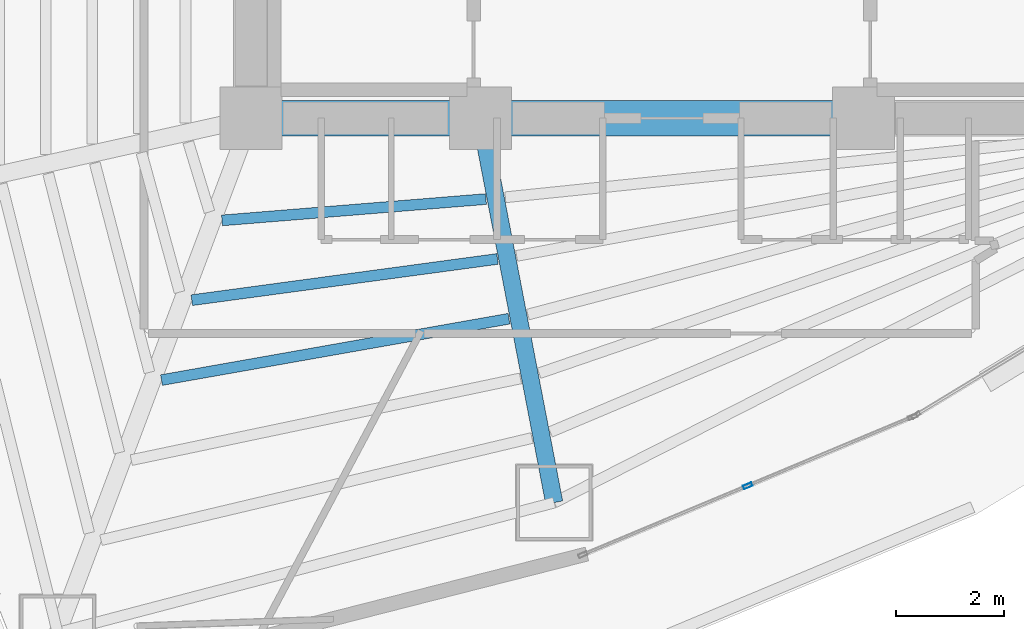
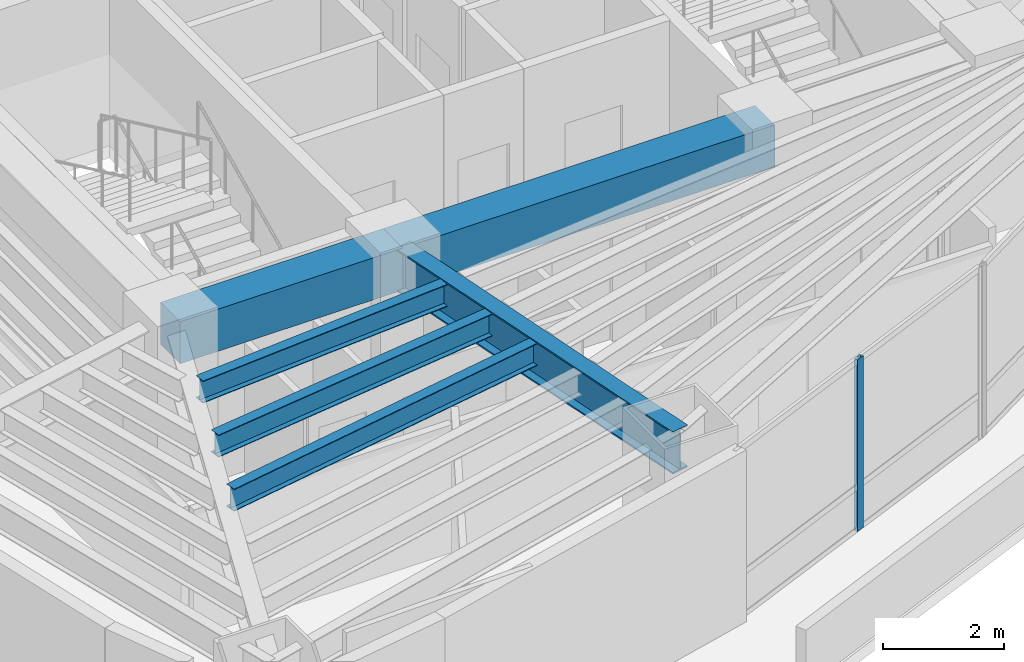
# One storey, part 4 of 17: 6 beams, 1 member, 1 element without a shape of its own.
"""IFC4 building model written with IfcOpenShell, lengths in metres."""

from ifc_helpers import new_model, si_unit, direction, frame, origin, origin_2d, place, context, subcontext, project, spatial, rectangle, hollow_rectangle, i_section, extrude, material, layer, layer_set, material_profile, profile_set, type_object, element, aggregate, save


model = new_model("IFC4")

# Units and contexts
model_context = context("Model", 3, precision=1e-05, world=origin(), true_north=direction((0.0, 1.0)))
body_context = subcontext(model_context, "Body", "Model", "MODEL_VIEW")
ifc_project = project(units=[si_unit("LENGTHUNIT", "METRE"), si_unit("AREAUNIT", "SQUARE_METRE"), si_unit("VOLUMEUNIT", "CUBIC_METRE"), si_unit("PLANEANGLEUNIT", "RADIAN"), si_unit("MASSUNIT", "GRAM", prefix="KILO")], contexts=[model_context])

# Site, building, storey
site_placement = place(None, origin())
site = spatial("IfcSite", under=ifc_project, at=site_placement, CompositionType="ELEMENT")
building_placement = place(site_placement, origin())
building = spatial("IfcBuilding", under=site, at=building_placement, Name="Menara Vayukalpa", CompositionType="ELEMENT")
storey_placement = place(building_placement, frame((0.0, 0.0, 27.60009765625)))
storey = spatial("IfcBuildingStorey", under=building, at=storey_placement, Name="L05", CompositionType="ELEMENT", Elevation=27.60009765625)

# Beams
ifc_material_1 = material(Name="Concrete C60/75", Category="concrete")
ifc_material_profile_1 = material_profile(ifc_material_1, rectangle(XDim=0.64990234375, YDim=0.85009765625, at=origin_2d()), Name="RC 650x850")
ifc_profile_set_1 = profile_set([ifc_material_profile_1], Name="Concrete C60/75")
beam_type_1 = type_object("IfcBeamType", Name="BM-CB1", PredefinedType="BEAM", material=ifc_profile_set_1)
beam_1_placement = place(storey_placement, frame((17.800048828125, 17.199951171875, 3.044921875), z_axis=(1.0, 0.0, 0.0), x_axis=(0.0, 1.0, 0.0)))
element("IfcBeam", 1, at=beam_1_placement, inside=storey, type_object=beam_type_1, Name="L05 Core Tie Beam CBR1", PredefinedType="BEAM", context=body_context, shape_type="SweptSolid", body=[
    extrude(rectangle(XDim=0.64990234375, YDim=0.85009765625, at=origin_2d()), origin(), (0.0, 0.0, 1.0), 4.25),
])
beam_2_placement = place(storey_placement, frame((22.050048828125, 17.199951171875, 3.044921875), z_axis=(1.0, 0.0, 0.0), x_axis=(0.0, 1.0, 0.0)))
element("IfcBeam", 2, at=beam_2_placement, inside=storey, type_object=beam_type_1, Name="L05 Core Tie Beam CBR2", PredefinedType="BEAM", context=body_context, shape_type="SweptSolid", body=[
    extrude(rectangle(XDim=0.64990234375, YDim=0.85009765625, at=origin_2d()), origin(), (0.0, 0.0, 1.0), 7.099853515625),
])
ifc_material_2 = material(Name="Steel S355", Category="steel")
ifc_material_profile_2 = material_profile(ifc_material_2, i_section(OverallWidth=0.320068359375, OverallDepth=0.85009765625, WebThickness=0.01611328125, FlangeThickness=0.030029296875, at=origin_2d()), Name="WF 850x320x16x30")
ifc_profile_set_2 = profile_set([ifc_material_profile_2], Name="Steel S355")
beam_type_2 = type_object("IfcBeamType", Name="BM-PG2", PredefinedType="BEAM", material=ifc_profile_set_2)
beam_3_placement = place(storey_placement, frame((22.09716796875, 16.95458984375, 3.044921875), z_axis=(0.188803432672, -0.982014899995, 0.0), x_axis=(0.982014899995, 0.188803432672, 0.0)))
element("IfcBeam", 3, at=beam_3_placement, inside=storey, type_object=beam_type_2, Name="L05 Primary Radial Girder RG08", PredefinedType="BEAM", context=body_context, shape_type="SweptSolid", body=[
    extrude(i_section(OverallWidth=0.320068359375, OverallDepth=0.85009765625, WebThickness=0.01611328125, FlangeThickness=0.030029296875, at=origin_2d()), origin(), (0.0, 0.0, 1.0), 7.00341796875),
])
ifc_material_3 = material(Name="Steel S355", Category="steel")
ifc_material_profile_3 = material_profile(ifc_material_3, i_section(OverallWidth=0.199951171875, OverallDepth=0.449951171875, WebThickness=0.009033203125, FlangeThickness=0.013916015625, at=origin_2d()), Name="WF 450x200x9x14")
ifc_profile_set_3 = profile_set([ifc_material_profile_3], Name="Steel S355")
beam_type_3 = type_object("IfcBeamType", Name="BM-SJ1", PredefinedType="JOIST", material=ifc_profile_set_3)
beam_4_placement = place(storey_placement, frame((17.262451171875, 15.306396484375, 3.244873046875), z_axis=(0.996745483939, 0.08061290373, 0.0), x_axis=(-0.08061290373, 0.996745483939, 0.0)))
element("IfcBeam", 4, at=beam_4_placement, inside=storey, type_object=beam_type_3, Name="L05 Secondary Floor Joist SJ07-1", PredefinedType="JOIST", context=body_context, shape_type="SweptSolid", body=[
    extrude(i_section(OverallWidth=0.199951171875, OverallDepth=0.449951171875, WebThickness=0.009033203125, FlangeThickness=0.013916015625, at=origin_2d()), origin(), (0.0, 0.0, 1.0), 4.9091796875),
])
beam_5_placement = place(storey_placement, frame((16.702392578125, 13.827880859375, 3.244873046875), z_axis=(0.991021966654, 0.13369914588, 0.0), x_axis=(-0.13369914588, 0.991021966654, 0.0)))
element("IfcBeam", 5, at=beam_5_placement, inside=storey, type_object=beam_type_3, Name="L05 Secondary Floor Joist SJ07-2", PredefinedType="JOIST", context=body_context, shape_type="SweptSolid", body=[
    extrude(i_section(OverallWidth=0.199951171875, OverallDepth=0.449951171875, WebThickness=0.009033203125, FlangeThickness=0.013916015625, at=origin_2d()), origin(), (0.0, 0.0, 1.0), 5.71728515625),
])
beam_6_placement = place(storey_placement, frame((16.14208984375, 12.34716796875, 3.244873046875), z_axis=(0.984753096925, 0.173957862993, 0.0), x_axis=(-0.173957862993, 0.984753096925, 0.0)))
element("IfcBeam", 6, at=beam_6_placement, inside=storey, type_object=beam_type_3, Name="L05 Secondary Floor Joist SJ07-3", PredefinedType="JOIST", context=body_context, shape_type="SweptSolid", body=[
    extrude(i_section(OverallWidth=0.199951171875, OverallDepth=0.449951171875, WebThickness=0.009033203125, FlangeThickness=0.013916015625, at=origin_2d()), origin(), (0.0, 0.0, 1.0), 6.53857421875),
])

# Curtain wall, member
ifc_material_4 = material(Name="Anodised Terracotta Aluminium Alloy 6063-T6", Category="masonry")
ifc_layer = layer(ifc_material_4, 0.1650390625)
ifc_layer_set = layer_set([ifc_layer], Name="Anodised Terracotta Aluminium Alloy 6063-T6")
curtain_wall_type = type_object("IfcCurtainWallType", Name="CW-CW2", PredefinedType="USERDEFINED", material=ifc_layer_set)
curtain_wall_placement = place(storey_placement, origin())
curtain_wall = element("IfcCurtainWall", 7, at=curtain_wall_placement, inside=storey, type_object=curtain_wall_type, Name="L05 Low Rise Terracotta Ribbon Curtain Wall CW2 16", ObjectType="UNITISED", PredefinedType="USERDEFINED")
ifc_material_5 = material(Name="Anodised Terracotta Aluminium Alloy 6063-T6", Category="masonry")
ifc_material_profile_4 = material_profile(ifc_material_5, hollow_rectangle(XDim=0.070068359375, YDim=0.1650390625, WallThickness=0.00390625, at=origin_2d()), Name="ALU 70x165x4")
ifc_profile_set_4 = profile_set([ifc_material_profile_4], Name="Anodised Terracotta Aluminium Alloy 6063-T6")
member_type = type_object("IfcMemberType", Name="CWM-CW2", PredefinedType="MULLION", material=ifc_profile_set_4)
member_placement = place(storey_placement, frame((27.0068359375, 10.388916015625, 0.0), z_axis=(0.0, 0.0, 1.0), x_axis=(-0.385895120445, 0.922542658101, 0.0)))
member = element("IfcMember", 8, at=member_placement, type_object=member_type, Name="CW2 mullion 2", PredefinedType="MULLION", context=body_context, shape_type="SweptSolid", body=[
    extrude(hollow_rectangle(XDim=0.070068359375, YDim=0.1650390625, WallThickness=0.00390625, at=origin_2d()), origin(), (0.0, 0.0, 1.0), 3.469970703125),
])
aggregate(curtain_wall, [member])

save(model, "model.ifc")
